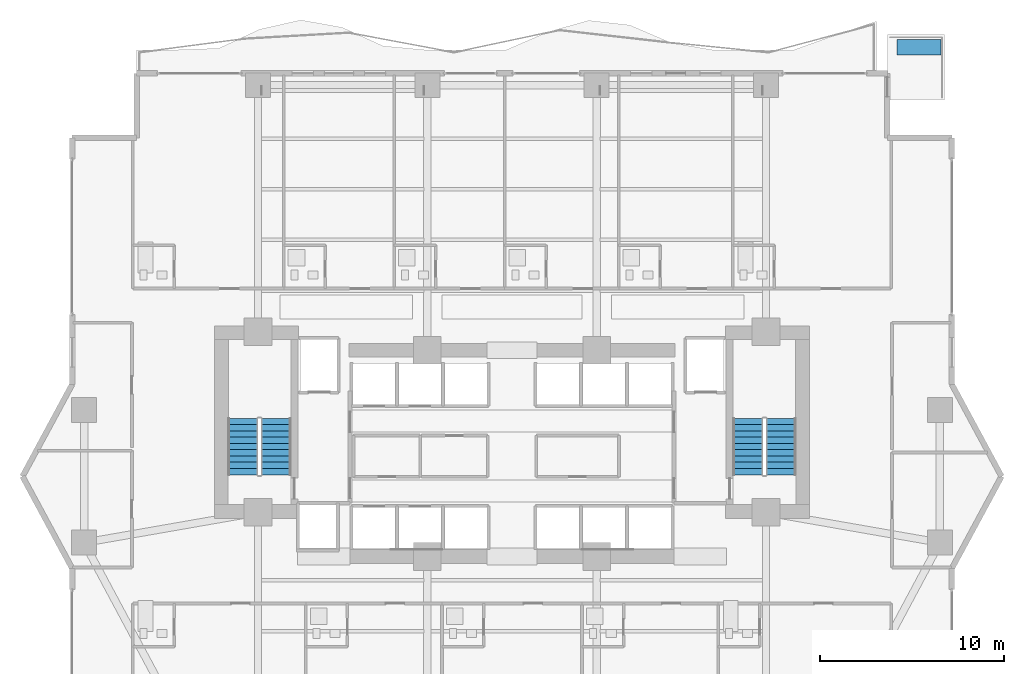
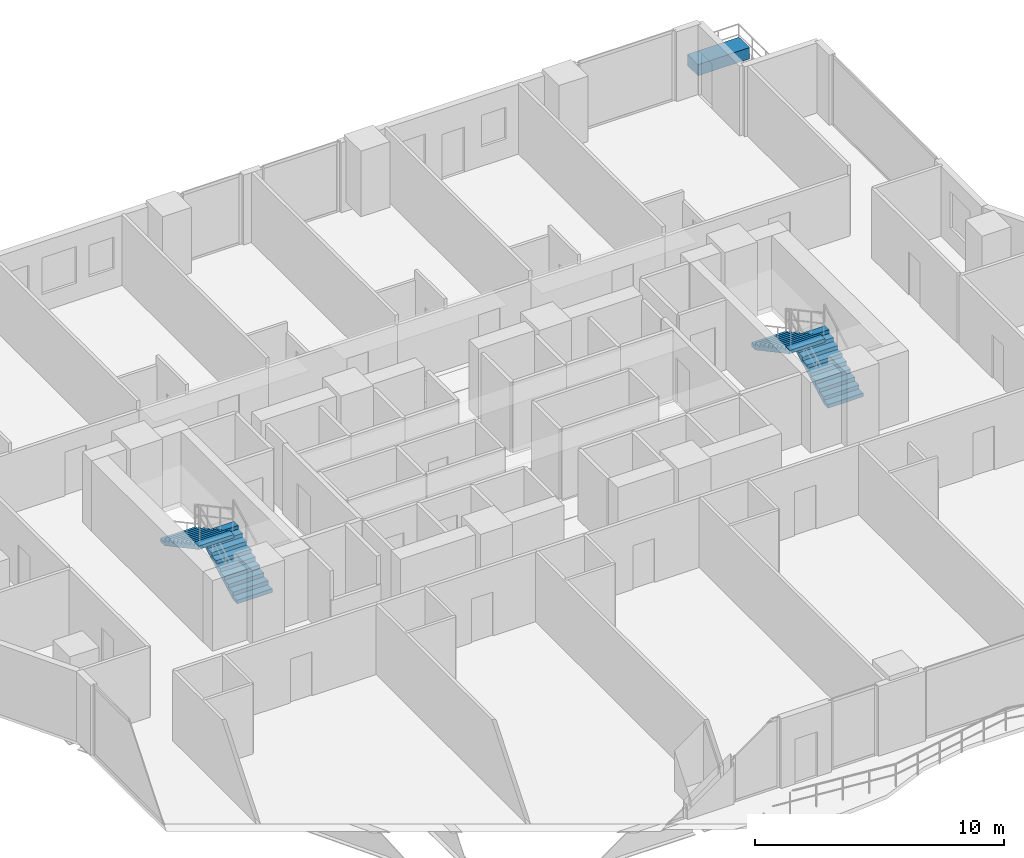
# One storey, part 25 of 29: 4 stair flights, 1 building element part, 2 elements without a shape of their own.
"""IFC4 building model written with IfcOpenShell, lengths in metres."""

from ifc_helpers import new_model, si_unit, direction, frame, origin, origin_2d, place, context, subcontext, project, spatial, polyline, rectangle, outline, extrude, material, layer, layer_set, type_object, element, aggregate, save


model = new_model("IFC4")

# Units and contexts
model_context = context("Model", 3, precision=1e-05, world=origin(), true_north=direction((0.0, 1.0)))
body_context = subcontext(model_context, "Body", "Model", "MODEL_VIEW")
ifc_project = project(units=[si_unit("LENGTHUNIT", "METRE"), si_unit("AREAUNIT", "SQUARE_METRE"), si_unit("VOLUMEUNIT", "CUBIC_METRE"), si_unit("PLANEANGLEUNIT", "RADIAN"), si_unit("MASSUNIT", "GRAM", prefix="KILO")], contexts=[model_context])

# Site, building, storey
site_placement = place(None, origin())
site = spatial("IfcSite", under=ifc_project, at=site_placement, CompositionType="ELEMENT")
building_placement = place(site_placement, origin())
building = spatial("IfcBuilding", under=site, at=building_placement, Name="Zuhayl Quay Hotel", CompositionType="ELEMENT")
storey_placement = place(building_placement, frame((0.0, 0.0, 95.64990234375)))
storey = spatial("IfcBuildingStorey", under=building, at=storey_placement, Name="L23", CompositionType="ELEMENT", Elevation=95.64990234375)

# Stair, stair flights
ifc_material_1 = material(Name="Concrete C45/55", Category="concrete")
stair_type = type_object("IfcStairType", Name="ST_DOGLEG_TOWER", PredefinedType="HALF_TURN_STAIR", material=ifc_material_1)
stair_1_placement = place(storey_placement, origin())
stair_1 = element("IfcStair", 1, at=stair_1_placement, inside=storey, type_object=stair_type, Name="L23 Smokeproof Exit Stair ST1", PredefinedType="HALF_TURN_STAIR")
ifc_layer_1 = layer(ifc_material_1, 0.159912109375, Name="Concrete C45/55", Category="concrete")
ifc_layer_set_1 = layer_set([ifc_layer_1], Name="Concrete C45/55")
stair_flight_type = type_object("IfcStairFlightType", Name="SF_CONC_164", PredefinedType="STRAIGHT", material=ifc_layer_set_1)
stair_flight_1_placement = place(storey_placement, frame((-12.820068359375, 6.590087890625, 0.0), z_axis=(0.0, 0.0, 1.0), x_axis=(0.0, 1.0, 0.0)))
stair_flight_1 = element("IfcStairFlight", 2, at=stair_flight_1_placement, type_object=stair_flight_type, Name="ST1 flight 1", NumberOfRisers=10, NumberOfTreads=9, PredefinedType="STRAIGHT", RiserHeight=0.1825, TreadLength=0.34, context=body_context, shape_type="SweptSolid", body=[
    extrude(outline(polyline([(0.0, 0.0), (0.0, 0.1826171875), (0.340087890625, 0.1826171875), (0.340087890625, 0.364990234375), (0.679931640625, 0.364990234375), (0.679931640625, 0.547607421875), (1.02001953125, 0.547607421875), (1.02001953125, 0.72998046875), (1.360107421875, 0.72998046875), (1.360107421875, 0.91259765625), (1.699951171875, 0.91259765625), (1.699951171875, 1.094970703125), (2.0400390625, 1.094970703125), (2.0400390625, 1.277587890625), (2.3798828125, 1.277587890625), (2.3798828125, 1.4599609375), (2.719970703125, 1.4599609375), (2.719970703125, 1.642578125), (3.06005859375, 1.642578125), (3.06005859375, 1.824951171875), (3.06005859375, 1.472412109375), (0.31689453125, 0.0), (0.0, 0.0)])), frame((0.0, 0.81982421875, 0.0), z_axis=(0.0, -1.0, 0.0), x_axis=(1.0, 0.0, 0.0)), (0.0, 0.0, 1.0), 1.639892578125),
])
stair_flight_2_placement = place(storey_placement, frame((-14.610107421875, 9.64990234375, 1.8251953125), z_axis=(0.0, 0.0, 1.0), x_axis=(0.0, -1.0, 0.0)))
stair_flight_2 = element("IfcStairFlight", 3, at=stair_flight_2_placement, type_object=stair_flight_type, Name="ST1 flight 2", NumberOfRisers=10, NumberOfTreads=9, PredefinedType="STRAIGHT", RiserHeight=0.1825, TreadLength=0.34, context=body_context, shape_type="SweptSolid", body=[
    extrude(outline(polyline([(0.0, 0.0), (0.0, 0.1826171875), (0.340087890625, 0.1826171875), (0.340087890625, 0.364990234375), (0.679931640625, 0.364990234375), (0.679931640625, 0.547607421875), (1.02001953125, 0.547607421875), (1.02001953125, 0.72998046875), (1.360107421875, 0.72998046875), (1.360107421875, 0.91259765625), (1.699951171875, 0.91259765625), (1.699951171875, 1.094970703125), (2.0400390625, 1.094970703125), (2.0400390625, 1.277587890625), (2.3798828125, 1.277587890625), (2.3798828125, 1.4599609375), (2.719970703125, 1.4599609375), (2.719970703125, 1.642578125), (3.06005859375, 1.642578125), (3.06005859375, 1.824951171875), (3.06005859375, 1.472412109375), (0.31689453125, 0.0), (0.0, 0.0)])), frame((0.0, 0.81982421875, 0.0), z_axis=(0.0, -1.0, 0.0), x_axis=(1.0, 0.0, 0.0)), (0.0, 0.0, 1.0), 1.639892578125),
])
aggregate(stair_1, [stair_flight_1, stair_flight_2])

stair_2_placement = place(storey_placement, origin())
stair_2 = element("IfcStair", 4, at=stair_2_placement, inside=storey, type_object=stair_type, Name="L23 Smokeproof Exit Stair ST2", PredefinedType="HALF_TURN_STAIR")
stair_flight_3_placement = place(storey_placement, frame((14.610107421875, 6.590087890625, 0.0), z_axis=(0.0, 0.0, 1.0), x_axis=(0.0, 1.0, 0.0)))
stair_flight_3 = element("IfcStairFlight", 5, at=stair_flight_3_placement, type_object=stair_flight_type, Name="ST2 flight 1", NumberOfRisers=10, NumberOfTreads=9, PredefinedType="STRAIGHT", RiserHeight=0.1825, TreadLength=0.34, context=body_context, shape_type="SweptSolid", body=[
    extrude(outline(polyline([(0.0, 0.0), (0.0, 0.1826171875), (0.340087890625, 0.1826171875), (0.340087890625, 0.364990234375), (0.679931640625, 0.364990234375), (0.679931640625, 0.547607421875), (1.02001953125, 0.547607421875), (1.02001953125, 0.72998046875), (1.360107421875, 0.72998046875), (1.360107421875, 0.91259765625), (1.699951171875, 0.91259765625), (1.699951171875, 1.094970703125), (2.0400390625, 1.094970703125), (2.0400390625, 1.277587890625), (2.3798828125, 1.277587890625), (2.3798828125, 1.4599609375), (2.719970703125, 1.4599609375), (2.719970703125, 1.642578125), (3.06005859375, 1.642578125), (3.06005859375, 1.824951171875), (3.06005859375, 1.472412109375), (0.31689453125, 0.0), (0.0, 0.0)])), frame((0.0, 0.81982421875, 0.0), z_axis=(0.0, -1.0, 0.0), x_axis=(1.0, 0.0, 0.0)), (0.0, 0.0, 1.0), 1.639892578125),
])
stair_flight_4_placement = place(storey_placement, frame((12.820068359375, 9.64990234375, 1.8251953125), z_axis=(0.0, 0.0, 1.0), x_axis=(0.0, -1.0, 0.0)))
stair_flight_4 = element("IfcStairFlight", 6, at=stair_flight_4_placement, type_object=stair_flight_type, Name="ST2 flight 2", NumberOfRisers=10, NumberOfTreads=9, PredefinedType="STRAIGHT", RiserHeight=0.1825, TreadLength=0.34, context=body_context, shape_type="SweptSolid", body=[
    extrude(outline(polyline([(0.0, 0.0), (0.0, 0.1826171875), (0.340087890625, 0.1826171875), (0.340087890625, 0.364990234375), (0.679931640625, 0.364990234375), (0.679931640625, 0.547607421875), (1.02001953125, 0.547607421875), (1.02001953125, 0.72998046875), (1.360107421875, 0.72998046875), (1.360107421875, 0.91259765625), (1.699951171875, 0.91259765625), (1.699951171875, 1.094970703125), (2.0400390625, 1.094970703125), (2.0400390625, 1.277587890625), (2.3798828125, 1.277587890625), (2.3798828125, 1.4599609375), (2.719970703125, 1.4599609375), (2.719970703125, 1.642578125), (3.06005859375, 1.642578125), (3.06005859375, 1.824951171875), (3.06005859375, 1.472412109375), (0.31689453125, 0.0), (0.0, 0.0)])), frame((0.0, 0.81982421875, 0.0), z_axis=(0.0, -1.0, 0.0), x_axis=(1.0, 0.0, 0.0)), (0.0, 0.0, 1.0), 1.639892578125),
])
aggregate(stair_2, [stair_flight_3, stair_flight_4])

# Building element part
ifc_material_2 = material(Name="Precast concrete C45/55", Category="concrete")
ifc_layer_2 = layer(ifc_material_2, 0.550048828125, Name="Precast concrete C45/55", Category="concrete")
ifc_layer_set_2 = layer_set([ifc_layer_2], Name="Precast concrete C45/55")
building_element_part_type = type_object("IfcBuildingElementPartType", Name="PT_PLANTER_KERB", PredefinedType="PRECASTPANEL", material=ifc_layer_set_2)
building_element_part_placement = place(storey_placement, frame((22.110107421875, 29.81005859375, 0.0), z_axis=(0.0, 0.0, 1.0), x_axis=(1.0, 0.0, 0.0)))
element("IfcBuildingElementPart", 7, at=building_element_part_placement, inside=storey, type_object=building_element_part_type, Name="L23 Spiral Sky-Terrace Planter Box NE", PredefinedType="PRECASTPANEL", context=body_context, shape_type="SweptSolid", body=[
    extrude(rectangle(XDim=2.39990234375, YDim=0.85009765625, at=origin_2d()), origin(), (0.0, 0.0, 1.0), 0.550048828125),
])

save(model, "model.ifc")
